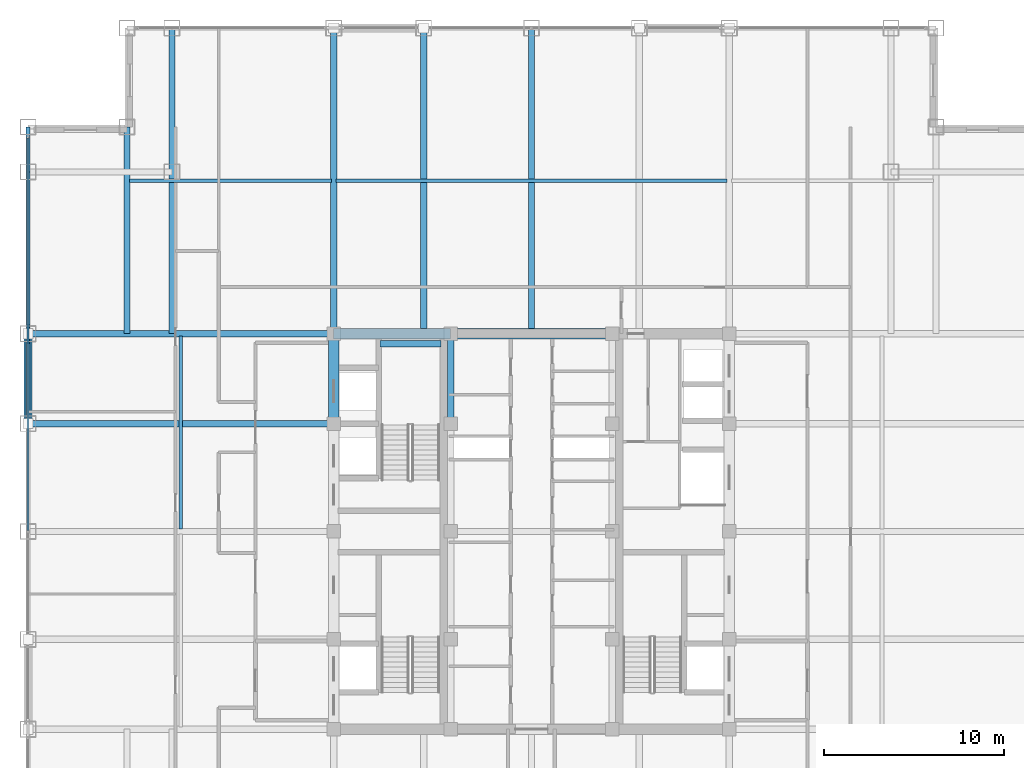
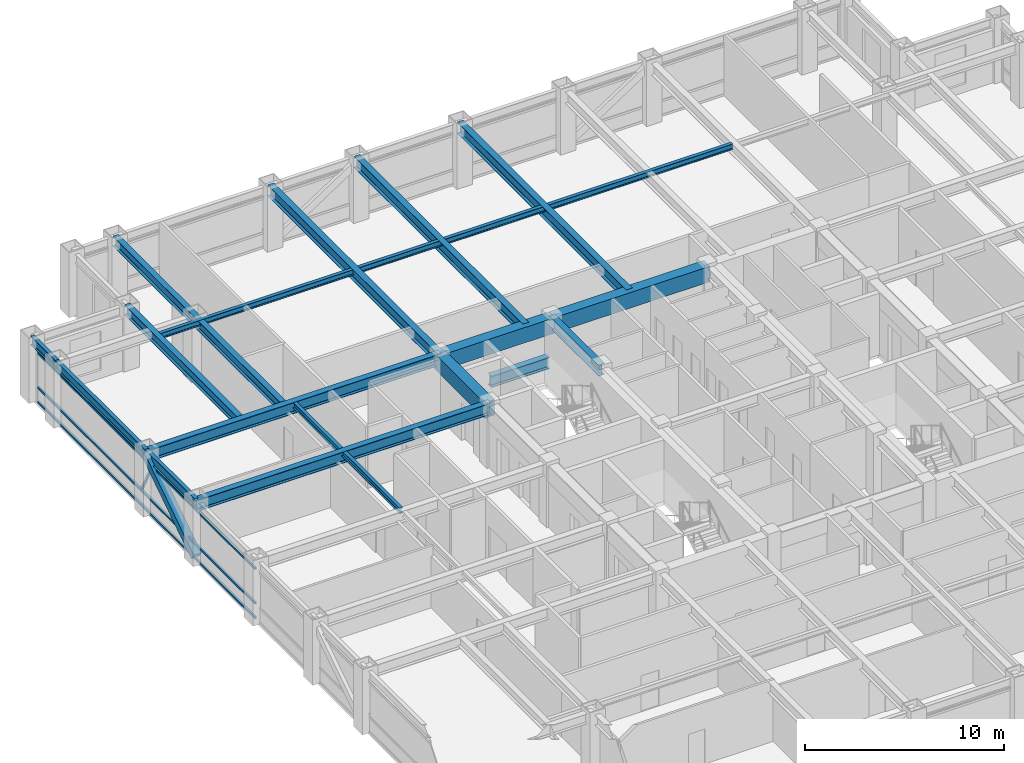
# One storey, part 11 of 22: 18 beams, 5 members, 1 element without a shape of its own.
"""IFC4 building model written with IfcOpenShell, lengths in metres."""

from ifc_helpers import new_model, si_unit, direction, frame, origin, origin_2d, place, context, subcontext, project, spatial, rectangle, hollow_rectangle, i_section, extrude, source, transform, mapped, material, material_profile, profile_set, type_object, element, aggregate, save


model = new_model("IFC4")

# Units and contexts
model_context = context("Model", 3, precision=1e-05, world=origin(), true_north=direction((0.0, 1.0)))
body_context = subcontext(model_context, "Body", "Model", "MODEL_VIEW")
ifc_project = project(units=[si_unit("LENGTHUNIT", "METRE"), si_unit("AREAUNIT", "SQUARE_METRE"), si_unit("VOLUMEUNIT", "CUBIC_METRE"), si_unit("PLANEANGLEUNIT", "RADIAN"), si_unit("MASSUNIT", "GRAM", prefix="KILO")], contexts=[model_context])

# Site, building, storey
site_placement = place(None, origin())
site = spatial("IfcSite", under=ifc_project, at=site_placement, CompositionType="ELEMENT")
building_placement = place(site_placement, origin())
building = spatial("IfcBuilding", under=site, at=building_placement, Name="Khorayat Bourse Tower", CompositionType="ELEMENT")
storey_placement = place(building_placement, frame((0.0, 0.0, 289.5)))
storey = spatial("IfcBuildingStorey", under=building, at=storey_placement, Name="L68", CompositionType="ELEMENT", Elevation=289.5)

# Beams
ifc_material_1 = material(Name="Steel ASTM A992 Grade 50", Category="steel")
ifc_material_profile_1 = material_profile(ifc_material_1, i_section(OverallWidth=0.35498046875, OverallDepth=0.695068359375, WebThickness=0.015380859375, FlangeThickness=0.02490234375, FilletRadius=0.01806640625, at=origin_2d()), Name="W690X217")
ifc_profile_set_1 = profile_set([ifc_material_profile_1], Name="Steel ASTM A992 Grade 50")
beam_type_1 = type_object("IfcBeamType", Name="BM-GIRD-690", PredefinedType="BEAM", material=ifc_profile_set_1)
shared_shape_1 = source(origin(), body_context, "Body", "SweptSolid", [
    extrude(i_section(OverallWidth=0.35498046875, OverallDepth=0.695068359375, WebThickness=0.015380859375, FlangeThickness=0.02490234375, FilletRadius=0.01806640625, at=origin_2d()), origin(), (0.0, 0.0, 1.0), 5.0),
])
beam_1_placement = place(storey_placement, frame((-4.5, 6.0, 3.4326171875), z_axis=(0.0, 1.0, 0.0), x_axis=(-1.0, 0.0, 0.0)))
element("IfcBeam", 1, at=beam_1_placement, inside=storey, type_object=beam_type_1, Name="L68 BM-GIRD-690 BM-L68-CRX-08", PredefinedType="BEAM", context=body_context, shape_type="MappedRepresentation", body=[
    mapped(shared_shape_1, transform((0.0, 0.0, 0.0), scale=1.0)),
])
shared_shape_2 = source(origin(), body_context, "Body", "SweptSolid", [
    extrude(i_section(OverallWidth=0.35498046875, OverallDepth=0.695068359375, WebThickness=0.015380859375, FlangeThickness=0.02490234375, FilletRadius=0.01806640625, at=origin_2d()), origin(), (0.0, 0.0, 1.0), 3.39990234375),
])
beam_2_placement = place(storey_placement, frame((-8.419921875, 10.449951171875, 1.452392578125), z_axis=(1.0, 0.0, 0.0), x_axis=(0.0, 1.0, 0.0)))
element("IfcBeam", 2, at=beam_2_placement, inside=storey, type_object=beam_type_1, Name="L68 BM-GIRD-690 BM-L68-ST2L", PredefinedType="BEAM", context=body_context, shape_type="MappedRepresentation", body=[
    mapped(shared_shape_2, transform((0.0, 0.0, 0.0), scale=1.0)),
])
ifc_material_profile_2 = material_profile(ifc_material_1, i_section(OverallWidth=0.324951171875, OverallDepth=0.615966796875, WebThickness=0.013916015625, FlangeThickness=0.021484375, FilletRadius=0.01611328125, at=origin_2d()), Name="W610X174")
ifc_profile_set_2 = profile_set([ifc_material_profile_2], Name="Steel ASTM A992 Grade 50")
beam_type_2 = type_object("IfcBeamType", Name="BM-GIRD-610", PredefinedType="BEAM", material=ifc_profile_set_2)
shared_shape_3 = source(origin(), body_context, "Body", "SweptSolid", [
    extrude(i_section(OverallWidth=0.324951171875, OverallDepth=0.615966796875, WebThickness=0.013916015625, FlangeThickness=0.021484375, FilletRadius=0.01611328125, at=origin_2d()), origin(), (0.0, 0.0, 1.0), 17.0),
])
beam_3_placement = place(storey_placement, frame((-20.0, 11.0, 3.471923828125), z_axis=(0.0, 1.0, 0.0), x_axis=(-1.0, 0.0, 0.0)))
element("IfcBeam", 3, at=beam_3_placement, inside=storey, type_object=beam_type_2, Name="L68 BM-GIRD-610 BM-L68-CNRY-085", PredefinedType="BEAM", context=body_context, shape_type="MappedRepresentation", body=[
    mapped(shared_shape_3, transform((0.0, 0.0, 0.0), scale=1.0)),
])
ifc_material_2 = material(Name="Concrete C60/75", Category="concrete")
ifc_material_profile_3 = material_profile(ifc_material_2, rectangle(XDim=0.60009765625, YDim=0.949951171875, at=origin_2d()), Name="RC 600x950")
ifc_profile_set_3 = profile_set([ifc_material_profile_3], Name="Concrete C60/75")
beam_type_3 = type_object("IfcBeamType", Name="BM-COUP-950", PredefinedType="BEAM", material=ifc_profile_set_3)
shared_shape_4 = source(origin(), body_context, "Body", "SweptSolid", [
    extrude(rectangle(XDim=0.60009765625, YDim=0.949951171875, at=origin_2d()), origin(), (0.0, 0.0, 1.0), 5.0),
])
beam_4_placement = place(storey_placement, frame((-11.0, 6.0, 3.304931640625), z_axis=(0.0, 1.0, 0.0), x_axis=(-1.0, 0.0, 0.0)))
element("IfcBeam", 4, at=beam_4_placement, inside=storey, type_object=beam_type_3, Name="L68 BM-COUP-950 BM-L68-CRX-04", PredefinedType="BEAM", context=body_context, shape_type="MappedRepresentation", body=[
    mapped(shared_shape_4, transform((0.0, 0.0, 0.0), scale=1.0)),
])
shared_shape_5 = source(origin(), body_context, "Body", "SweptSolid", [
    extrude(rectangle(XDim=0.60009765625, YDim=0.949951171875, at=origin_2d()), origin(), (0.0, 0.0, 1.0), 6.5),
])
beam_5_placement = place(storey_placement, frame((-11.0, 11.0, 3.304931640625), z_axis=(1.0, 0.0, 0.0), x_axis=(0.0, 1.0, 0.0)))
element("IfcBeam", 5, at=beam_5_placement, inside=storey, type_object=beam_type_3, Name="L68 BM-COUP-950 BM-L68-CRY-20", PredefinedType="BEAM", context=body_context, shape_type="MappedRepresentation", body=[
    mapped(shared_shape_5, transform((0.0, 0.0, 0.0), scale=1.0)),
])
shared_shape_6 = source(origin(), body_context, "Body", "SweptSolid", [
    extrude(rectangle(XDim=0.60009765625, YDim=0.949951171875, at=origin_2d()), origin(), (0.0, 0.0, 1.0), 9.0),
])
beam_6_placement = place(storey_placement, frame((-4.5, 11.0, 3.304931640625), z_axis=(1.0, 0.0, 0.0), x_axis=(0.0, 1.0, 0.0)))
element("IfcBeam", 6, at=beam_6_placement, inside=storey, type_object=beam_type_3, Name="L68 BM-COUP-950 BM-L68-CRY-21", PredefinedType="BEAM", context=body_context, shape_type="MappedRepresentation", body=[
    mapped(shared_shape_6, transform((0.0, 0.0, 0.0), scale=1.0)),
])

# Member
ifc_material_3 = material(Name="Steel EN 10025-4 S460M", Category="steel")
ifc_material_profile_4 = material_profile(ifc_material_3, hollow_rectangle(XDim=0.449951171875, YDim=0.449951171875, WallThickness=0.02490234375, at=origin_2d()), Name="HSS 450x450x25")
ifc_profile_set_4 = profile_set([ifc_material_profile_4], Name="Steel EN 10025-4 S460M")
member_type_1 = type_object("IfcMemberType", Name="MBR-TUBE-450", PredefinedType="BRACE", material=ifc_profile_set_4)
shared_shape_7 = source(origin(), body_context, "Body", "SweptSolid", [
    extrude(hollow_rectangle(XDim=0.449951171875, YDim=0.449951171875, WallThickness=0.02490234375, at=origin_2d()), origin(), (0.0, 0.0, 1.0), 5.979736328125),
])
member_1_placement = place(storey_placement, frame((-28.0, 6.0, 0.25), z_axis=(0.0, 0.836141536525, 0.548513747227), x_axis=(-1.0, 0.0, 0.0)))
element("IfcMember", 7, at=member_1_placement, inside=storey, type_object=member_type_1, Name="L68 Perimeter Tube Brace 06", PredefinedType="BRACE", context=body_context, shape_type="MappedRepresentation", body=[
    mapped(shared_shape_7, transform((0.0, 0.0, 0.0), scale=1.0)),
])

# Beams
shared_shape_8 = source(origin(), body_context, "Body", "SweptSolid", [
    extrude(i_section(OverallWidth=0.35498046875, OverallDepth=0.695068359375, WebThickness=0.015380859375, FlangeThickness=0.02490234375, FilletRadius=0.01806640625, at=origin_2d()), origin(), (0.0, 0.0, 1.0), 17.0),
])
for number, where, z_axis, x_axis, name in (
    (8, (-11.0, 11.0, 3.4326171875), (0.0, 1.0, 0.0), (-1.0, 0.0, 0.0), "L68 BM-GIRD-690 BM-L68-RADY-064"),
    (9, (-6.0, 11.0, 3.4326171875), (0.0, 1.0, 0.0), (-1.0, 0.0, 0.0), "L68 BM-GIRD-690 BM-L68-RADY-066"),
    (10, (0.0, 11.0, 3.4326171875), (0.0, 1.0, 0.0), (-1.0, 0.0, 0.0), "L68 BM-GIRD-690 BM-L68-RADY-068"),
    (11, (-28.0, 6.0, 3.4326171875), (1.0, 0.0, 0.0), (0.0, 1.0, 0.0), "L68 BM-GIRD-690 BM-L68-RADX-081"),
    (12, (-28.0, 11.0, 3.4326171875), (1.0, 0.0, 0.0), (0.0, 1.0, 0.0), "L68 BM-GIRD-690 BM-L68-RADX-083"),
):
    element("IfcBeam", number, at=place(storey_placement, frame(where, z_axis=z_axis, x_axis=x_axis)), inside=storey, type_object=beam_type_1, Name=name, PredefinedType="BEAM", context=body_context, shape_type="MappedRepresentation", body=[
        mapped(shared_shape_8, transform((0.0, 0.0, 0.0), scale=1.0)),
    ])
shared_shape_9 = source(origin(), body_context, "Body", "SweptSolid", [
    extrude(i_section(OverallWidth=0.324951171875, OverallDepth=0.615966796875, WebThickness=0.013916015625, FlangeThickness=0.021484375, FilletRadius=0.01611328125, at=origin_2d()), origin(), (0.0, 0.0, 1.0), 11.5),
])
beam_7_placement = place(storey_placement, frame((-22.5, 11.0, 3.471923828125), z_axis=(0.0, 1.0, 0.0), x_axis=(-1.0, 0.0, 0.0)))
element("IfcBeam", 13, at=beam_7_placement, inside=storey, type_object=beam_type_2, Name="L68 BM-GIRD-610 BM-L68-CNRY-089", PredefinedType="BEAM", context=body_context, shape_type="MappedRepresentation", body=[
    mapped(shared_shape_9, transform((0.0, 0.0, 0.0), scale=1.0)),
])
ifc_material_profile_5 = material_profile(ifc_material_1, i_section(OverallWidth=0.202880859375, OverallDepth=0.346923828125, WebThickness=0.0078125, FlangeThickness=0.013427734375, FilletRadius=0.010009765625, at=origin_2d()), Name="W360X64")
ifc_profile_set_5 = profile_set([ifc_material_profile_5], Name="Steel ASTM A992 Grade 50")
beam_type_4 = type_object("IfcBeamType", Name="BM-JOIST-360", PredefinedType="JOIST", material=ifc_profile_set_5)
shared_shape_10 = source(origin(), body_context, "Body", "SweptSolid", [
    extrude(i_section(OverallWidth=0.202880859375, OverallDepth=0.346923828125, WebThickness=0.0078125, FlangeThickness=0.013427734375, FilletRadius=0.010009765625, at=origin_2d()), origin(), (0.0, 0.0, 1.0), 11.240234375),
])
beam_8_placement = place(storey_placement, frame((-22.3701171875, 19.5, 3.6064453125), z_axis=(1.0, 0.0, 0.0), x_axis=(0.0, 1.0, 0.0)))
element("IfcBeam", 14, at=beam_8_placement, inside=storey, type_object=beam_type_4, Name="L68 BM-JOIST-360 BM-L68-JSTX-099", PredefinedType="JOIST", context=body_context, shape_type="MappedRepresentation", body=[
    mapped(shared_shape_10, transform((0.0, 0.0, 0.0), scale=1.0)),
])
shared_shape_11 = source(origin(), body_context, "Body", "SweptSolid", [
    extrude(i_section(OverallWidth=0.202880859375, OverallDepth=0.346923828125, WebThickness=0.0078125, FlangeThickness=0.013427734375, FilletRadius=0.010009765625, at=origin_2d()), origin(), (0.0, 0.0, 1.0), 21.740234375),
])
beam_9_placement = place(storey_placement, frame((-10.8701171875, 19.5, 3.6064453125), z_axis=(1.0, 0.0, 0.0), x_axis=(0.0, 1.0, 0.0)))
element("IfcBeam", 15, at=beam_9_placement, inside=storey, type_object=beam_type_4, Name="L68 BM-JOIST-360 BM-L68-JSTX-100", PredefinedType="JOIST", context=body_context, shape_type="MappedRepresentation", body=[
    mapped(shared_shape_11, transform((0.0, 0.0, 0.0), scale=1.0)),
])
shared_shape_12 = source(origin(), body_context, "Body", "SweptSolid", [
    extrude(i_section(OverallWidth=0.202880859375, OverallDepth=0.346923828125, WebThickness=0.0078125, FlangeThickness=0.013427734375, FilletRadius=0.010009765625, at=origin_2d()), origin(), (0.0, 0.0, 1.0), 10.740234375),
])
beam_10_placement = place(storey_placement, frame((-19.5, 0.1298828125, 3.6064453125), z_axis=(0.0, 1.0, 0.0), x_axis=(-1.0, 0.0, 0.0)))
element("IfcBeam", 16, at=beam_10_placement, inside=storey, type_object=beam_type_4, Name="L68 BM-JOIST-360 BM-L68-JSTY-103", PredefinedType="JOIST", context=body_context, shape_type="MappedRepresentation", body=[
    mapped(shared_shape_12, transform((0.0, 0.0, 0.0), scale=1.0)),
])
ifc_material_profile_6 = material_profile(ifc_material_1, i_section(OverallWidth=0.214111328125, OverallDepth=0.549072265625, WebThickness=0.0146484375, FlangeThickness=0.023681640625, FilletRadius=0.013916015625, at=origin_2d()), Name="W530X138")
ifc_profile_set_6 = profile_set([ifc_material_profile_6], Name="Steel ASTM A992 Grade 50")
beam_type_5 = type_object("IfcBeamType", Name="BM-SPAN-530", PredefinedType="SPANDREL", material=ifc_profile_set_6)
shared_shape_13 = source(origin(), body_context, "Body", "SweptSolid", [
    extrude(i_section(OverallWidth=0.214111328125, OverallDepth=0.549072265625, WebThickness=0.0146484375, FlangeThickness=0.023681640625, FilletRadius=0.013916015625, at=origin_2d()), origin(), (0.0, 0.0, 1.0), 2.5),
])
beam_11_placement = place(storey_placement, frame((-28.0, 20.0, 3.505615234375), z_axis=(0.0, 1.0, 0.0), x_axis=(-1.0, 0.0, 0.0)))
element("IfcBeam", 17, at=beam_11_placement, inside=storey, type_object=beam_type_5, Name="L68 BM-SPAN-530 BM-L68-SPN-054", PredefinedType="SPANDREL", context=body_context, shape_type="MappedRepresentation", body=[
    mapped(shared_shape_13, transform((0.0, 0.0, 0.0), scale=1.0)),
])
shared_shape_14 = source(origin(), body_context, "Body", "SweptSolid", [
    extrude(i_section(OverallWidth=0.214111328125, OverallDepth=0.549072265625, WebThickness=0.0146484375, FlangeThickness=0.023681640625, FilletRadius=0.013916015625, at=origin_2d()), origin(), (0.0, 0.0, 1.0), 9.0),
])
beam_12_placement = place(storey_placement, frame((-28.0, 11.0, 3.505615234375), z_axis=(0.0, 1.0, 0.0), x_axis=(-1.0, 0.0, 0.0)))
element("IfcBeam", 18, at=beam_12_placement, inside=storey, type_object=beam_type_5, Name="L68 BM-SPAN-530 BM-L68-SPN-055", PredefinedType="SPANDREL", context=body_context, shape_type="MappedRepresentation", body=[
    mapped(shared_shape_14, transform((0.0, 0.0, 0.0), scale=1.0)),
])
shared_shape_15 = source(origin(), body_context, "Body", "SweptSolid", [
    extrude(i_section(OverallWidth=0.214111328125, OverallDepth=0.549072265625, WebThickness=0.0146484375, FlangeThickness=0.023681640625, FilletRadius=0.013916015625, at=origin_2d()), origin(), (0.0, 0.0, 1.0), 5.0),
])
beam_13_placement = place(storey_placement, frame((-28.0, 6.0, 3.505615234375), z_axis=(0.0, 1.0, 0.0), x_axis=(-1.0, 0.0, 0.0)))
element("IfcBeam", 19, at=beam_13_placement, inside=storey, type_object=beam_type_5, Name="L68 BM-SPAN-530 BM-L68-SPN-056", PredefinedType="SPANDREL", context=body_context, shape_type="MappedRepresentation", body=[
    mapped(shared_shape_15, transform((0.0, 0.0, 0.0), scale=1.0)),
])

# Curtain wall, members
ifc_material_4 = material(Name="Aluminium EN AW-6063 T6", Category="aluminium")
curtain_wall_type = type_object("IfcCurtainWallType", Name="CW-SYS-04", PredefinedType="NOTDEFINED", material=ifc_material_4)
curtain_wall_placement = place(storey_placement, origin())
curtain_wall = element("IfcCurtainWall", 20, at=curtain_wall_placement, inside=storey, type_object=curtain_wall_type, Name="L68 Curtain Wall CW-L68-W1", PredefinedType="NOTDEFINED")
ifc_material_profile_7 = material_profile(ifc_material_4, hollow_rectangle(XDim=0.1201171875, YDim=0.1201171875, WallThickness=0.0048828125, at=origin_2d()), Name="ALU 120x120x5")
ifc_profile_set_7 = profile_set([ifc_material_profile_7], Name="Aluminium EN AW-6063 T6")
member_type_2 = type_object("IfcMemberType", Name="CWM-DIAG-120", PredefinedType="MULLION", material=ifc_profile_set_7)
shared_shape_16 = source(origin(), body_context, "Body", "SweptSolid", [
    extrude(hollow_rectangle(XDim=0.1201171875, YDim=0.1201171875, WallThickness=0.0048828125, at=origin_2d()), origin(), (0.0, 0.0, 1.0), 2.0791015625),
])
member_2_placement = place(storey_placement, frame((-28.0, 11.4541015625, 1.090087890625), z_axis=(0.0, -0.465717394116, 0.884933505309), x_axis=(1.0, 0.0, 0.0)))
member_2 = element("IfcMember", 21, at=member_2_placement, type_object=member_type_2, Name="CW-L68-W1 Faceted Diagonal Mullion 2", PredefinedType="MULLION", context=body_context, shape_type="MappedRepresentation", body=[
    mapped(shared_shape_16, transform((0.0, 0.0, 0.0), scale=1.0)),
])
ifc_material_profile_8 = material_profile(ifc_material_4, hollow_rectangle(XDim=0.1201171875, YDim=0.1201171875, WallThickness=0.0048828125, at=origin_2d()), Name="ALU 120x120x5")
ifc_profile_set_8 = profile_set([ifc_material_profile_8], Name="Aluminium EN AW-6063 T6")
member_type_3 = type_object("IfcMemberType", Name="CWT-HORZ-120", PredefinedType="USERDEFINED", material=ifc_profile_set_8)
shared_shape_17 = source(origin(), body_context, "Body", "SweptSolid", [
    extrude(hollow_rectangle(XDim=0.1201171875, YDim=0.1201171875, WallThickness=0.0048828125, at=origin_2d()), origin(), (0.0, 0.0, 1.0), 21.81982421875),
])
member_3_placement = place(storey_placement, frame((-28.0, 0.06005859375, 0.06005859375), z_axis=(0.0, 1.0, 0.0), x_axis=(-1.0, 0.0, 0.0)))
member_3 = element("IfcMember", 22, at=member_3_placement, type_object=member_type_3, Name="CW-L68-W1 Horizontal Transom 2-1", ObjectType="TRANSOM", PredefinedType="USERDEFINED", context=body_context, shape_type="MappedRepresentation", body=[
    mapped(shared_shape_17, transform((0.0, 0.0, 0.0), scale=1.0)),
])
member_4_placement = place(storey_placement, frame((-28.0, 0.06005859375, 0.949951171875), z_axis=(0.0, 1.0, 0.0), x_axis=(-1.0, 0.0, 0.0)))
member_4 = element("IfcMember", 23, at=member_4_placement, type_object=member_type_3, Name="CW-L68-W1 Horizontal Transom 2-2", ObjectType="TRANSOM", PredefinedType="USERDEFINED", context=body_context, shape_type="MappedRepresentation", body=[
    mapped(shared_shape_17, transform((0.0, 0.0, 0.0), scale=1.0)),
])
member_5_placement = place(storey_placement, frame((-28.0, 0.06005859375, 3.070068359375), z_axis=(0.0, 1.0, 0.0), x_axis=(-1.0, 0.0, 0.0)))
member_5 = element("IfcMember", 24, at=member_5_placement, type_object=member_type_3, Name="CW-L68-W1 Horizontal Transom 2-3", ObjectType="TRANSOM", PredefinedType="USERDEFINED", context=body_context, shape_type="MappedRepresentation", body=[
    mapped(shared_shape_17, transform((0.0, 0.0, 0.0), scale=1.0)),
])
aggregate(curtain_wall, [member_3, member_4, member_5, member_2])

save(model, "model.ifc")
